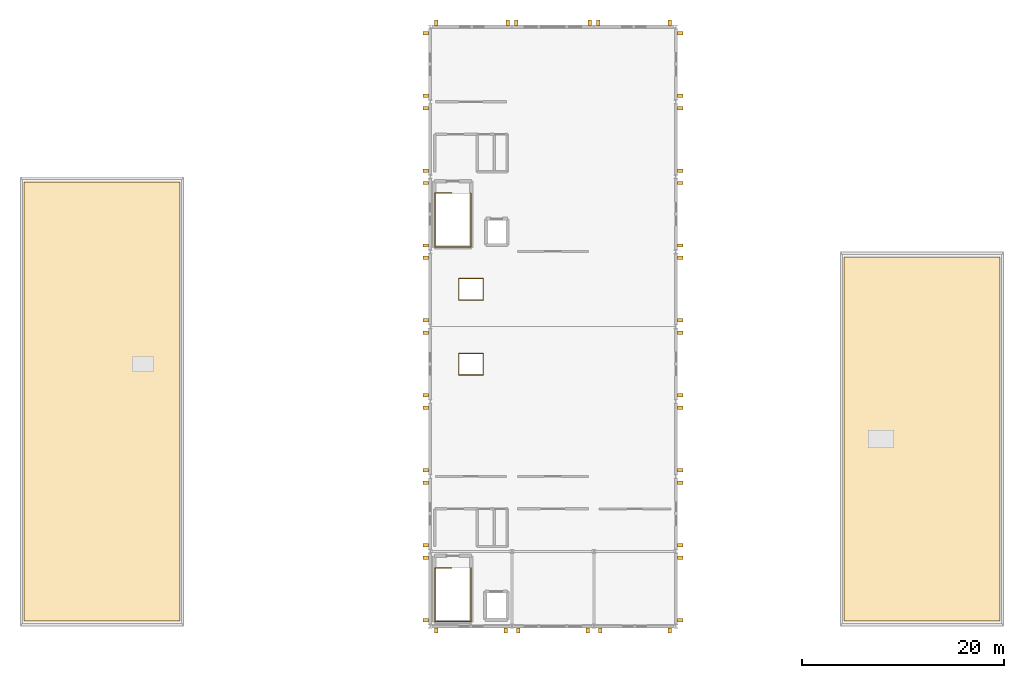
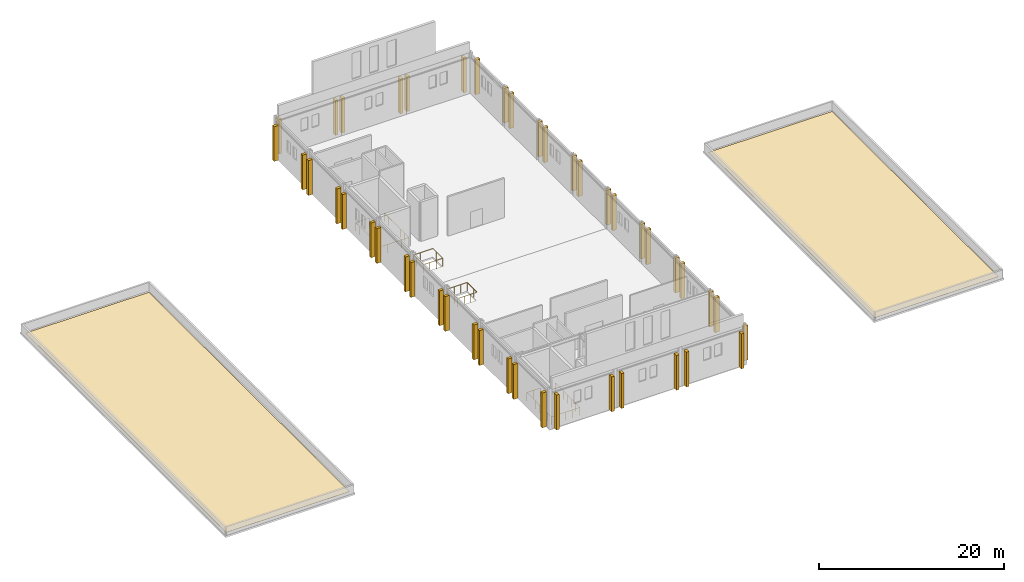
# One storey, part 10 of 10: 44 shading devices, 4 railings, 2 coverings.
"""IFC4 building model written with IfcOpenShell, lengths in metres."""

from ifc_helpers import new_model, si_unit, direction, frame, origin, origin_2d, place, context, subcontext, project, spatial, rectangle, circle, extrude, material, layer, layer_set, type_object, element, save


model = new_model("IFC4")

# Units and contexts
model_context = context("Model", 3, precision=1e-05, world=origin(), true_north=direction((0.0, 1.0)))
body_context = subcontext(model_context, "Body", "Model", "MODEL_VIEW")
ifc_project = project(units=[si_unit("LENGTHUNIT", "METRE"), si_unit("AREAUNIT", "SQUARE_METRE"), si_unit("VOLUMEUNIT", "CUBIC_METRE"), si_unit("PLANEANGLEUNIT", "RADIAN"), si_unit("MASSUNIT", "GRAM", prefix="KILO")], contexts=[model_context])

# Site, building, storey
site_placement = place(None, origin())
site = spatial("IfcSite", under=ifc_project, at=site_placement, CompositionType="ELEMENT")
building_placement = place(site_placement, origin())
building = spatial("IfcBuilding", under=site, at=building_placement, Name="Cimatlan Art Gallery", CompositionType="ELEMENT")
storey_placement = place(building_placement, frame((0.0, 0.0, 21.0)))
storey = spatial("IfcBuildingStorey", under=building, at=storey_placement, Name="L05", CompositionType="ELEMENT", Elevation=21.0)

# Coverings
ifc_material_1 = material(Name="Standing-seam patinated zinc roofing")
ifc_layer = layer(ifc_material_1, 0.02490234375)
ifc_layer_set = layer_set([ifc_layer], Name="Standing-seam patinated zinc roofing")
covering_type = type_object("IfcCoveringType", Name="COV-ROOF-ZINC-25", PredefinedType="ROOFING", material=ifc_layer_set)
covering_1_placement = place(storey_placement, frame((42.5, 46.10009765625, 0.0), z_axis=(0.0, 0.0, 1.0), x_axis=(1.0, 0.0, 0.0)))
element("IfcCovering", 1, at=covering_1_placement, inside=storey, type_object=covering_type, Name="RFG-B2", PredefinedType="ROOFING", context=body_context, shape_type="SweptSolid", body=[
    extrude(rectangle(XDim=15.39990234375, YDim=43.39990234375, at=origin_2d()), origin(), (0.0, 0.0, 1.0), 0.02490234375),
])
covering_2_placement = place(storey_placement, frame((123.5, 42.39990234375, 0.0), z_axis=(0.0, 0.0, 1.0), x_axis=(1.0, 0.0, 0.0)))
element("IfcCovering", 2, at=covering_2_placement, inside=storey, type_object=covering_type, Name="RFG-B4", PredefinedType="ROOFING", context=body_context, shape_type="SweptSolid", body=[
    extrude(rectangle(XDim=15.39990234375, YDim=36.0, at=origin_2d()), origin(), (0.0, 0.0, 1.0), 0.02490234375),
])

# Railings
ifc_material_2 = material(Name="Painted steel and bronze interior balustrade", Category="steel")
railing_type = type_object("IfcRailingType", Name="RL-BAL-INT-1120", PredefinedType="BALUSTRADE", material=ifc_material_2)
railing_1_placement = place(storey_placement, frame((77.050048828125, 29.679931640625, 0.0)))
element("IfcRailing", 3, at=railing_1_placement, inside=storey, type_object=railing_type, Name="GR-WELL-TOP-C3", PredefinedType="BALUSTRADE", context=body_context, shape_type="SweptSolid", body=[
    extrude(circle(Radius=0.02392578125, at=origin_2d()), frame((0.0, 0.0, 1.09619140625), z_axis=(-1.0, 0.0, 0.0), x_axis=(0.0, -1.0, 0.0)), (0.0, 0.0, 1.0), 1.670166015625),
    extrude(circle(Radius=0.02392578125, at=origin_2d()), frame((-1.670166015625, 0.0, 1.09619140625), z_axis=(0.0, -1.0, 0.0), x_axis=(1.0, 0.0, 0.0)), (0.0, 0.0, 1.0), 5.300048828125),
    extrude(circle(Radius=0.02392578125, at=origin_2d()), frame((-1.670166015625, -5.300048828125, 1.09619140625), z_axis=(1.0, 0.0, 0.0), x_axis=(0.0, 1.0, 0.0)), (0.0, 0.0, 1.0), 3.56005859375),
    extrude(circle(Radius=0.02392578125, at=origin_2d()), frame((1.889892578125, -5.300048828125, 1.09619140625), z_axis=(0.0, 1.0, 0.0), x_axis=(-1.0, 0.0, 0.0)), (0.0, 0.0, 1.0), 5.300048828125),
    extrude(circle(Radius=0.02001953125, at=origin_2d()), origin(), (0.0, 0.0, 1.0), 1.072021484375),
    extrude(circle(Radius=0.02001953125, at=origin_2d()), frame((-0.8349609375, 0.0, 0.0)), (0.0, 0.0, 1.0), 1.072021484375),
    extrude(circle(Radius=0.02001953125, at=origin_2d()), frame((-1.670166015625, 0.0, 0.0)), (0.0, 0.0, 1.0), 1.072021484375),
    extrude(circle(Radius=0.02001953125, at=origin_2d()), frame((-1.670166015625, -0.88330078125, 0.0)), (0.0, 0.0, 1.0), 1.072021484375),
    extrude(circle(Radius=0.02001953125, at=origin_2d()), frame((-1.670166015625, -1.7666015625, 0.0)), (0.0, 0.0, 1.0), 1.072021484375),
    extrude(circle(Radius=0.02001953125, at=origin_2d()), frame((-1.670166015625, -2.64990234375, 0.0)), (0.0, 0.0, 1.0), 1.072021484375),
    extrude(circle(Radius=0.02001953125, at=origin_2d()), frame((-1.670166015625, -3.533447265625, 0.0)), (0.0, 0.0, 1.0), 1.072021484375),
    extrude(circle(Radius=0.02001953125, at=origin_2d()), frame((-1.670166015625, -4.416748046875, 0.0)), (0.0, 0.0, 1.0), 1.072021484375),
    extrude(circle(Radius=0.02001953125, at=origin_2d()), frame((-1.670166015625, -5.300048828125, 0.0)), (0.0, 0.0, 1.0), 1.072021484375),
    extrude(circle(Radius=0.02001953125, at=origin_2d()), frame((-0.7802734375, -5.300048828125, 0.0)), (0.0, 0.0, 1.0), 1.072021484375),
    extrude(circle(Radius=0.02001953125, at=origin_2d()), frame((0.10986328125, -5.300048828125, 0.0)), (0.0, 0.0, 1.0), 1.072021484375),
    extrude(circle(Radius=0.02001953125, at=origin_2d()), frame((1.0, -5.300048828125, 0.0)), (0.0, 0.0, 1.0), 1.072021484375),
    extrude(circle(Radius=0.02001953125, at=origin_2d()), frame((1.889892578125, -5.300048828125, 0.0)), (0.0, 0.0, 1.0), 1.072021484375),
    extrude(circle(Radius=0.02001953125, at=origin_2d()), frame((1.889892578125, -4.416748046875, 0.0)), (0.0, 0.0, 1.0), 1.072021484375),
    extrude(circle(Radius=0.02001953125, at=origin_2d()), frame((1.889892578125, -3.533447265625, 0.0)), (0.0, 0.0, 1.0), 1.072021484375),
    extrude(circle(Radius=0.02001953125, at=origin_2d()), frame((1.889892578125, -2.64990234375, 0.0)), (0.0, 0.0, 1.0), 1.072021484375),
    extrude(circle(Radius=0.02001953125, at=origin_2d()), frame((1.889892578125, -1.7666015625, 0.0)), (0.0, 0.0, 1.0), 1.072021484375),
    extrude(circle(Radius=0.02001953125, at=origin_2d()), frame((1.889892578125, -0.88330078125, 0.0)), (0.0, 0.0, 1.0), 1.072021484375),
    extrude(circle(Radius=0.02001953125, at=origin_2d()), frame((1.889892578125, 0.0, 0.0)), (0.0, 0.0, 1.0), 1.072021484375),
])
railing_2_placement = place(storey_placement, frame((77.050048828125, 66.679931640625, 0.0)))
element("IfcRailing", 4, at=railing_2_placement, inside=storey, type_object=railing_type, Name="GR-WELL-TOP-C6", PredefinedType="BALUSTRADE", context=body_context, shape_type="SweptSolid", body=[
    extrude(circle(Radius=0.02392578125, at=origin_2d()), frame((0.0, 0.0, 1.09619140625), z_axis=(-1.0, 0.0, 0.0), x_axis=(0.0, -1.0, 0.0)), (0.0, 0.0, 1.0), 1.670166015625),
    extrude(circle(Radius=0.02392578125, at=origin_2d()), frame((-1.670166015625, 0.0, 1.09619140625), z_axis=(0.0, -1.0, 0.0), x_axis=(1.0, 0.0, 0.0)), (0.0, 0.0, 1.0), 5.300048828125),
    extrude(circle(Radius=0.02392578125, at=origin_2d()), frame((-1.670166015625, -5.300048828125, 1.09619140625), z_axis=(1.0, 0.0, 0.0), x_axis=(0.0, 1.0, 0.0)), (0.0, 0.0, 1.0), 3.56005859375),
    extrude(circle(Radius=0.02392578125, at=origin_2d()), frame((1.889892578125, -5.300048828125, 1.09619140625), z_axis=(0.0, 1.0, 0.0), x_axis=(-1.0, 0.0, 0.0)), (0.0, 0.0, 1.0), 5.300048828125),
    extrude(circle(Radius=0.02001953125, at=origin_2d()), origin(), (0.0, 0.0, 1.0), 1.072021484375),
    extrude(circle(Radius=0.02001953125, at=origin_2d()), frame((-0.8349609375, 0.0, 0.0)), (0.0, 0.0, 1.0), 1.072021484375),
    extrude(circle(Radius=0.02001953125, at=origin_2d()), frame((-1.670166015625, 0.0, 0.0)), (0.0, 0.0, 1.0), 1.072021484375),
    extrude(circle(Radius=0.02001953125, at=origin_2d()), frame((-1.670166015625, -0.88330078125, 0.0)), (0.0, 0.0, 1.0), 1.072021484375),
    extrude(circle(Radius=0.02001953125, at=origin_2d()), frame((-1.670166015625, -1.7666015625, 0.0)), (0.0, 0.0, 1.0), 1.072021484375),
    extrude(circle(Radius=0.02001953125, at=origin_2d()), frame((-1.670166015625, -2.64990234375, 0.0)), (0.0, 0.0, 1.0), 1.072021484375),
    extrude(circle(Radius=0.02001953125, at=origin_2d()), frame((-1.670166015625, -3.533447265625, 0.0)), (0.0, 0.0, 1.0), 1.072021484375),
    extrude(circle(Radius=0.02001953125, at=origin_2d()), frame((-1.670166015625, -4.416748046875, 0.0)), (0.0, 0.0, 1.0), 1.072021484375),
    extrude(circle(Radius=0.02001953125, at=origin_2d()), frame((-1.670166015625, -5.300048828125, 0.0)), (0.0, 0.0, 1.0), 1.072021484375),
    extrude(circle(Radius=0.02001953125, at=origin_2d()), frame((-0.7802734375, -5.300048828125, 0.0)), (0.0, 0.0, 1.0), 1.072021484375),
    extrude(circle(Radius=0.02001953125, at=origin_2d()), frame((0.10986328125, -5.300048828125, 0.0)), (0.0, 0.0, 1.0), 1.072021484375),
    extrude(circle(Radius=0.02001953125, at=origin_2d()), frame((1.0, -5.300048828125, 0.0)), (0.0, 0.0, 1.0), 1.072021484375),
    extrude(circle(Radius=0.02001953125, at=origin_2d()), frame((1.889892578125, -5.300048828125, 0.0)), (0.0, 0.0, 1.0), 1.072021484375),
    extrude(circle(Radius=0.02001953125, at=origin_2d()), frame((1.889892578125, -4.416748046875, 0.0)), (0.0, 0.0, 1.0), 1.072021484375),
    extrude(circle(Radius=0.02001953125, at=origin_2d()), frame((1.889892578125, -3.533447265625, 0.0)), (0.0, 0.0, 1.0), 1.072021484375),
    extrude(circle(Radius=0.02001953125, at=origin_2d()), frame((1.889892578125, -2.64990234375, 0.0)), (0.0, 0.0, 1.0), 1.072021484375),
    extrude(circle(Radius=0.02001953125, at=origin_2d()), frame((1.889892578125, -1.7666015625, 0.0)), (0.0, 0.0, 1.0), 1.072021484375),
    extrude(circle(Radius=0.02001953125, at=origin_2d()), frame((1.889892578125, -0.88330078125, 0.0)), (0.0, 0.0, 1.0), 1.072021484375),
    extrude(circle(Radius=0.02001953125, at=origin_2d()), frame((1.889892578125, 0.0, 0.0)), (0.0, 0.0, 1.0), 1.072021484375),
])
railing_3_placement = place(storey_placement, frame((77.739990234375, 48.739990234375, 0.0)))
element("IfcRailing", 5, at=railing_3_placement, inside=storey, type_object=railing_type, Name="GR-OCU-L05-B3S", PredefinedType="BALUSTRADE", context=body_context, shape_type="SweptSolid", body=[
    extrude(circle(Radius=0.02392578125, at=origin_2d()), frame((0.0, 0.0, 1.09619140625), z_axis=(1.0, 0.0, 0.0), x_axis=(0.0, 1.0, 0.0)), (0.0, 0.0, 1.0), 2.419921875),
    extrude(circle(Radius=0.02392578125, at=origin_2d()), frame((2.419921875, 0.0, 1.09619140625), z_axis=(0.0, 1.0, 0.0), x_axis=(-1.0, 0.0, 0.0)), (0.0, 0.0, 1.0), 2.1201171875),
    extrude(circle(Radius=0.02392578125, at=origin_2d()), frame((2.419921875, 2.1201171875, 1.09619140625), z_axis=(-1.0, 0.0, 0.0), x_axis=(0.0, -1.0, 0.0)), (0.0, 0.0, 1.0), 2.419921875),
    extrude(circle(Radius=0.02392578125, at=origin_2d()), frame((0.0, 2.1201171875, 1.09619140625), z_axis=(0.0, -1.0, 0.0), x_axis=(1.0, 0.0, 0.0)), (0.0, 0.0, 1.0), 2.080078125),
    extrude(circle(Radius=0.02001953125, at=origin_2d()), origin(), (0.0, 0.0, 1.0), 1.072021484375),
    extrude(circle(Radius=0.02001953125, at=origin_2d()), frame((0.806640625, 0.0, 0.0)), (0.0, 0.0, 1.0), 1.072021484375),
    extrude(circle(Radius=0.02001953125, at=origin_2d()), frame((1.61328125, 0.0, 0.0)), (0.0, 0.0, 1.0), 1.072021484375),
    extrude(circle(Radius=0.02001953125, at=origin_2d()), frame((2.419921875, 0.0, 0.0)), (0.0, 0.0, 1.0), 1.072021484375),
    extrude(circle(Radius=0.02001953125, at=origin_2d()), frame((2.419921875, 0.706787109375, 0.0)), (0.0, 0.0, 1.0), 1.072021484375),
    extrude(circle(Radius=0.02001953125, at=origin_2d()), frame((2.419921875, 1.413330078125, 0.0)), (0.0, 0.0, 1.0), 1.072021484375),
    extrude(circle(Radius=0.02001953125, at=origin_2d()), frame((2.419921875, 2.1201171875, 0.0)), (0.0, 0.0, 1.0), 1.072021484375),
    extrude(circle(Radius=0.02001953125, at=origin_2d()), frame((1.61328125, 2.1201171875, 0.0)), (0.0, 0.0, 1.0), 1.072021484375),
    extrude(circle(Radius=0.02001953125, at=origin_2d()), frame((0.806640625, 2.1201171875, 0.0)), (0.0, 0.0, 1.0), 1.072021484375),
    extrude(circle(Radius=0.02001953125, at=origin_2d()), frame((0.0, 2.1201171875, 0.0)), (0.0, 0.0, 1.0), 1.072021484375),
    extrude(circle(Radius=0.02001953125, at=origin_2d()), frame((0.0, 1.4267578125, 0.0)), (0.0, 0.0, 1.0), 1.072021484375),
    extrude(circle(Radius=0.02001953125, at=origin_2d()), frame((0.0, 0.7333984375, 0.0)), (0.0, 0.0, 1.0), 1.072021484375),
    extrude(circle(Radius=0.02001953125, at=origin_2d()), frame((0.0, 0.0400390625, 0.0)), (0.0, 0.0, 1.0), 1.072021484375),
])
railing_4_placement = place(storey_placement, frame((77.739990234375, 56.139892578125, 0.0)))
element("IfcRailing", 6, at=railing_4_placement, inside=storey, type_object=railing_type, Name="GR-OCU-L05-B3N", PredefinedType="BALUSTRADE", context=body_context, shape_type="SweptSolid", body=[
    extrude(circle(Radius=0.02392578125, at=origin_2d()), frame((0.0, 0.0, 1.09619140625), z_axis=(1.0, 0.0, 0.0), x_axis=(0.0, 1.0, 0.0)), (0.0, 0.0, 1.0), 2.419921875),
    extrude(circle(Radius=0.02392578125, at=origin_2d()), frame((2.419921875, 0.0, 1.09619140625), z_axis=(0.0, 1.0, 0.0), x_axis=(-1.0, 0.0, 0.0)), (0.0, 0.0, 1.0), 2.1201171875),
    extrude(circle(Radius=0.02392578125, at=origin_2d()), frame((2.419921875, 2.1201171875, 1.09619140625), z_axis=(-1.0, 0.0, 0.0), x_axis=(0.0, -1.0, 0.0)), (0.0, 0.0, 1.0), 2.419921875),
    extrude(circle(Radius=0.02392578125, at=origin_2d()), frame((0.0, 2.1201171875, 1.09619140625), z_axis=(0.0, -1.0, 0.0), x_axis=(1.0, 0.0, 0.0)), (0.0, 0.0, 1.0), 2.080078125),
    extrude(circle(Radius=0.02001953125, at=origin_2d()), origin(), (0.0, 0.0, 1.0), 1.072021484375),
    extrude(circle(Radius=0.02001953125, at=origin_2d()), frame((0.806640625, 0.0, 0.0)), (0.0, 0.0, 1.0), 1.072021484375),
    extrude(circle(Radius=0.02001953125, at=origin_2d()), frame((1.61328125, 0.0, 0.0)), (0.0, 0.0, 1.0), 1.072021484375),
    extrude(circle(Radius=0.02001953125, at=origin_2d()), frame((2.419921875, 0.0, 0.0)), (0.0, 0.0, 1.0), 1.072021484375),
    extrude(circle(Radius=0.02001953125, at=origin_2d()), frame((2.419921875, 0.706787109375, 0.0)), (0.0, 0.0, 1.0), 1.072021484375),
    extrude(circle(Radius=0.02001953125, at=origin_2d()), frame((2.419921875, 1.413330078125, 0.0)), (0.0, 0.0, 1.0), 1.072021484375),
    extrude(circle(Radius=0.02001953125, at=origin_2d()), frame((2.419921875, 2.1201171875, 0.0)), (0.0, 0.0, 1.0), 1.072021484375),
    extrude(circle(Radius=0.02001953125, at=origin_2d()), frame((1.61328125, 2.1201171875, 0.0)), (0.0, 0.0, 1.0), 1.072021484375),
    extrude(circle(Radius=0.02001953125, at=origin_2d()), frame((0.806640625, 2.1201171875, 0.0)), (0.0, 0.0, 1.0), 1.072021484375),
    extrude(circle(Radius=0.02001953125, at=origin_2d()), frame((0.0, 2.1201171875, 0.0)), (0.0, 0.0, 1.0), 1.072021484375),
    extrude(circle(Radius=0.02001953125, at=origin_2d()), frame((0.0, 1.4267578125, 0.0)), (0.0, 0.0, 1.0), 1.072021484375),
    extrude(circle(Radius=0.02001953125, at=origin_2d()), frame((0.0, 0.7333984375, 0.0)), (0.0, 0.0, 1.0), 1.072021484375),
    extrude(circle(Radius=0.02001953125, at=origin_2d()), frame((0.0, 0.0400390625, 0.0)), (0.0, 0.0, 1.0), 1.072021484375),
])

# Shading devices
ifc_material_3 = material(Name="Queretaro cantera limestone buttress pilaster", Category="masonry")
shading_device_type = type_object("IfcShadingDeviceType", Name="SHD-BUT-520", PredefinedType="USERDEFINED", material=ifc_material_3)
for number, where, z_axis, x_axis, name in (
    (7, (82.3916015625, 23.471923828125, 0.06005859375), (0.0, 0.0, 1.0), (-1.0, 0.0, 0.0), "BUT-0553"),
    (8, (75.52099609375, 23.471923828125, 0.06005859375), (0.0, 0.0, 1.0), (-1.0, 0.0, 0.0), "BUT-0554"),
    (9, (74.471923828125, 24.511962890625, 0.06005859375), (0.0, 0.0, 1.0), (0.0, 1.0, 0.0), "BUT-0555"),
    (10, (74.471923828125, 30.68798828125, 0.06005859375), (0.0, 0.0, 1.0), (0.0, 1.0, 0.0), "BUT-0556"),
    (11, (74.471923828125, 31.912109375, 0.06005859375), (0.0, 0.0, 1.0), (0.0, 1.0, 0.0), "BUT-0557"),
    (12, (74.471923828125, 38.087890625, 0.06005859375), (0.0, 0.0, 1.0), (0.0, 1.0, 0.0), "BUT-0558"),
    (13, (74.471923828125, 39.31201171875, 0.06005859375), (0.0, 0.0, 1.0), (0.0, 1.0, 0.0), "BUT-0559"),
    (14, (74.471923828125, 45.488037109375, 0.06005859375), (0.0, 0.0, 1.0), (0.0, 1.0, 0.0), "BUT-0560"),
    (15, (74.471923828125, 46.7119140625, 0.06005859375), (0.0, 0.0, 1.0), (0.0, 1.0, 0.0), "BUT-0561"),
    (16, (74.471923828125, 52.887939453125, 0.06005859375), (0.0, 0.0, 1.0), (0.0, 1.0, 0.0), "BUT-0562"),
    (17, (74.471923828125, 54.112060546875, 0.06005859375), (0.0, 0.0, 1.0), (0.0, 1.0, 0.0), "BUT-0563"),
    (18, (74.471923828125, 60.2880859375, 0.06005859375), (0.0, 0.0, 1.0), (0.0, 1.0, 0.0), "BUT-0564"),
    (19, (74.471923828125, 61.511962890625, 0.06005859375), (0.0, 0.0, 1.0), (0.0, 1.0, 0.0), "BUT-0565"),
    (20, (74.471923828125, 67.68798828125, 0.06005859375), (0.0, 0.0, 1.0), (0.0, 1.0, 0.0), "BUT-0566"),
    (21, (74.471923828125, 68.912109375, 0.06005859375), (0.0, 0.0, 1.0), (0.0, 1.0, 0.0), "BUT-0567"),
    (22, (74.471923828125, 75.087890625, 0.06005859375), (0.0, 0.0, 1.0), (0.0, 1.0, 0.0), "BUT-0568"),
):
    element("IfcShadingDevice", number, at=place(storey_placement, frame(where, z_axis=z_axis, x_axis=x_axis)), inside=storey, type_object=shading_device_type, Name=name, ObjectType="FIN", PredefinedType="USERDEFINED", context=body_context, shape_type="SweptSolid", body=[
        extrude(rectangle(XDim=0.340087890625, YDim=0.52001953125, at=origin_2d()), origin(), (0.0, 0.0, 1.0), 4.597900390625),
    ])
for number, where, z_axis, x_axis, name in (
    (23, (75.52099609375, 83.528076171875, 0.06005859375), (0.0, 0.0, 1.0), (1.0, 0.0, 0.0), "BUT-0569"),
    (24, (82.575927734375, 83.528076171875, 0.06005859375), (0.0, 0.0, 1.0), (1.0, 0.0, 0.0), "BUT-0570"),
    (25, (74.471923828125, 76.31201171875, 0.06005859375), (0.0, 0.0, 1.0), (0.0, 1.0, 0.0), "BUT-0571"),
    (26, (74.471923828125, 82.488037109375, 0.06005859375), (0.0, 0.0, 1.0), (0.0, 1.0, 0.0), "BUT-0572"),
):
    element("IfcShadingDevice", number, at=place(storey_placement, frame(where, z_axis=z_axis, x_axis=x_axis)), inside=storey, type_object=shading_device_type, Name=name, ObjectType="FIN", PredefinedType="USERDEFINED", context=body_context, shape_type="SweptSolid", body=[
        extrude(rectangle(XDim=0.340087890625, YDim=0.52001953125, at=origin_2d()), origin(), (0.0, 0.0, 1.0), 4.5810546875),
    ])
for number, where, z_axis, x_axis, name in (
    (27, (90.491455078125, 23.471923828125, 0.06005859375), (0.0, 0.0, 1.0), (-1.0, 0.0, 0.0), "BUT-0573"),
    (28, (83.6083984375, 23.471923828125, 0.06005859375), (0.0, 0.0, 1.0), (-1.0, 0.0, 0.0), "BUT-0574"),
):
    element("IfcShadingDevice", number, at=place(storey_placement, frame(where, z_axis=z_axis, x_axis=x_axis)), inside=storey, type_object=shading_device_type, Name=name, ObjectType="FIN", PredefinedType="USERDEFINED", context=body_context, shape_type="SweptSolid", body=[
        extrude(rectangle(XDim=0.340087890625, YDim=0.52001953125, at=origin_2d()), origin(), (0.0, 0.0, 1.0), 4.597900390625),
    ])
for number, where, z_axis, x_axis, name in (
    (29, (83.424072265625, 83.528076171875, 0.06005859375), (0.0, 0.0, 1.0), (1.0, 0.0, 0.0), "BUT-0575"),
    (30, (90.676025390625, 83.528076171875, 0.06005859375), (0.0, 0.0, 1.0), (1.0, 0.0, 0.0), "BUT-0576"),
):
    element("IfcShadingDevice", number, at=place(storey_placement, frame(where, z_axis=z_axis, x_axis=x_axis)), inside=storey, type_object=shading_device_type, Name=name, ObjectType="FIN", PredefinedType="USERDEFINED", context=body_context, shape_type="SweptSolid", body=[
        extrude(rectangle(XDim=0.340087890625, YDim=0.52001953125, at=origin_2d()), origin(), (0.0, 0.0, 1.0), 4.5810546875),
    ])
for number, where, z_axis, x_axis, name in (
    (31, (98.5791015625, 23.471923828125, 0.06005859375), (0.0, 0.0, 1.0), (-1.0, 0.0, 0.0), "BUT-0577"),
    (32, (91.70849609375, 23.471923828125, 0.06005859375), (0.0, 0.0, 1.0), (-1.0, 0.0, 0.0), "BUT-0578"),
    (33, (99.6279296875, 30.68798828125, 0.06005859375), (0.0, 0.0, 1.0), (0.0, -1.0, 0.0), "BUT-0579"),
    (34, (99.6279296875, 24.511962890625, 0.06005859375), (0.0, 0.0, 1.0), (0.0, -1.0, 0.0), "BUT-0580"),
    (35, (99.6279296875, 38.087890625, 0.06005859375), (0.0, 0.0, 1.0), (0.0, -1.0, 0.0), "BUT-0581"),
    (36, (99.6279296875, 31.912109375, 0.06005859375), (0.0, 0.0, 1.0), (0.0, -1.0, 0.0), "BUT-0582"),
    (37, (99.6279296875, 45.488037109375, 0.06005859375), (0.0, 0.0, 1.0), (0.0, -1.0, 0.0), "BUT-0583"),
    (38, (99.6279296875, 39.31201171875, 0.06005859375), (0.0, 0.0, 1.0), (0.0, -1.0, 0.0), "BUT-0584"),
    (39, (99.6279296875, 52.887939453125, 0.06005859375), (0.0, 0.0, 1.0), (0.0, -1.0, 0.0), "BUT-0585"),
    (40, (99.6279296875, 46.7119140625, 0.06005859375), (0.0, 0.0, 1.0), (0.0, -1.0, 0.0), "BUT-0586"),
    (41, (99.6279296875, 60.2880859375, 0.06005859375), (0.0, 0.0, 1.0), (0.0, -1.0, 0.0), "BUT-0587"),
    (42, (99.6279296875, 54.112060546875, 0.06005859375), (0.0, 0.0, 1.0), (0.0, -1.0, 0.0), "BUT-0588"),
    (43, (99.6279296875, 67.68798828125, 0.06005859375), (0.0, 0.0, 1.0), (0.0, -1.0, 0.0), "BUT-0589"),
    (44, (99.6279296875, 61.511962890625, 0.06005859375), (0.0, 0.0, 1.0), (0.0, -1.0, 0.0), "BUT-0590"),
    (45, (99.6279296875, 75.087890625, 0.06005859375), (0.0, 0.0, 1.0), (0.0, -1.0, 0.0), "BUT-0591"),
    (46, (99.6279296875, 68.912109375, 0.06005859375), (0.0, 0.0, 1.0), (0.0, -1.0, 0.0), "BUT-0592"),
):
    element("IfcShadingDevice", number, at=place(storey_placement, frame(where, z_axis=z_axis, x_axis=x_axis)), inside=storey, type_object=shading_device_type, Name=name, ObjectType="FIN", PredefinedType="USERDEFINED", context=body_context, shape_type="SweptSolid", body=[
        extrude(rectangle(XDim=0.340087890625, YDim=0.52001953125, at=origin_2d()), origin(), (0.0, 0.0, 1.0), 4.597900390625),
    ])
for number, where, z_axis, x_axis, name in (
    (47, (91.52392578125, 83.528076171875, 0.06005859375), (0.0, 0.0, 1.0), (1.0, 0.0, 0.0), "BUT-0593"),
    (48, (98.5791015625, 83.528076171875, 0.06005859375), (0.0, 0.0, 1.0), (1.0, 0.0, 0.0), "BUT-0594"),
    (49, (99.6279296875, 82.488037109375, 0.06005859375), (0.0, 0.0, 1.0), (0.0, -1.0, 0.0), "BUT-0595"),
    (50, (99.6279296875, 76.31201171875, 0.06005859375), (0.0, 0.0, 1.0), (0.0, -1.0, 0.0), "BUT-0596"),
):
    element("IfcShadingDevice", number, at=place(storey_placement, frame(where, z_axis=z_axis, x_axis=x_axis)), inside=storey, type_object=shading_device_type, Name=name, ObjectType="FIN", PredefinedType="USERDEFINED", context=body_context, shape_type="SweptSolid", body=[
        extrude(rectangle(XDim=0.340087890625, YDim=0.52001953125, at=origin_2d()), origin(), (0.0, 0.0, 1.0), 4.5810546875),
    ])

save(model, "model.ifc")
